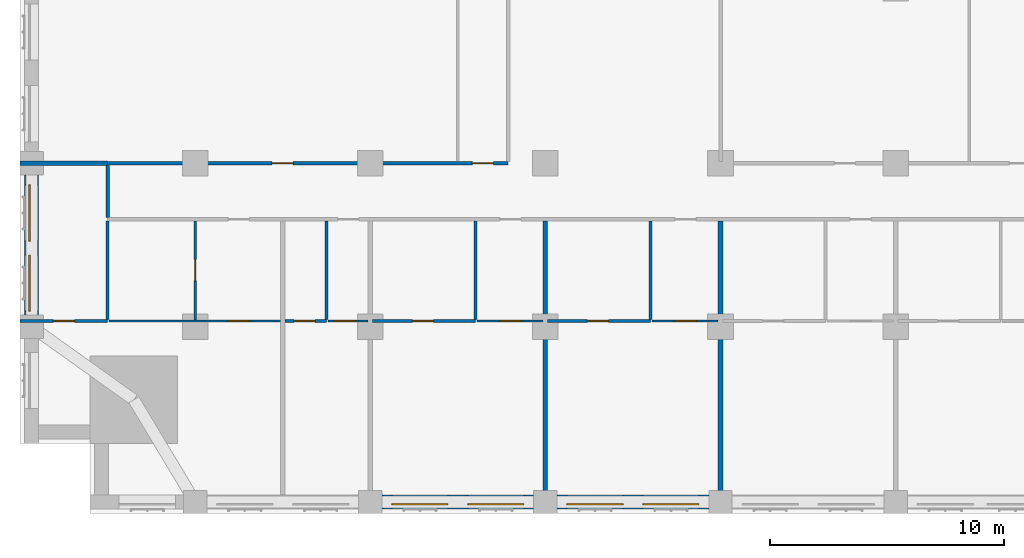
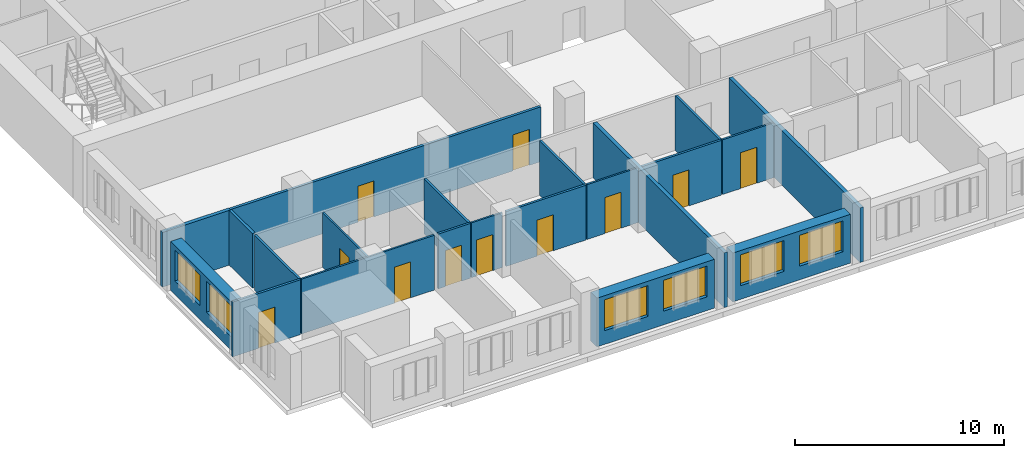
# One storey, part 4 of 14: 21 walls, 11 doors, 6 windows, 17 openings.
"""IFC4 building model written with IfcOpenShell, lengths in metres."""

import ifcopenshell
import ifcopenshell.guid

model = None  # the IFC model being written
_history = None  # IfcOwnerHistory: only IFC2X3 demands one
_inside = {}  # id of a spatial element -> (the spatial element, [elements in it])
_under = {}  # id of a project, library or spatial element -> (it, [spatial elements below it])
_declared = {}  # id of a project -> (the project, [libraries it declares])
_typed = {}  # id of a type object -> (the type object, [elements of that type])
_made_of = {}  # id of a material, layer set ... -> (it, [elements and type objects made of it])


def new_model(schema):
    """Start an empty IFC model of exactly this schema.

    Asked for "IFC4X3", IfcOpenShell would pick the latest addendum, in which some entities
    have other attributes; the version numbers below select the first issue.
    IFC2X3 requires an IfcOwnerHistory on every rooted entity: one is made here for all.
    """
    global model, _history
    if schema == "IFC4X3":
        model = ifcopenshell.file(schema_version=(4, 3, 0, 0))
    else:
        model = ifcopenshell.file(schema=schema)
    _inside.clear()
    _under.clear()
    _declared.clear()
    _typed.clear()
    _made_of.clear()
    _history = None
    if model.schema == "IFC2X3":
        org = make("IfcOrganization", Name="unknown")
        user = make(
            "IfcPersonAndOrganization",
            ThePerson=make("IfcPerson", FamilyName="unknown"),
            TheOrganization=org,
        )
        app = make(
            "IfcApplication",
            ApplicationDeveloper=org,
            Version="unknown",
            ApplicationFullName="unknown",
            ApplicationIdentifier="unknown",
        )
        _history = make(
            "IfcOwnerHistory",
            OwningUser=user,
            OwningApplication=app,
            ChangeAction="ADDED",
            CreationDate=0,
        )
    return model


def make(cls, **values):
    """One entity of the class cls with the attributes given. An attribute that is None is left unset."""
    return model.create_entity(
        cls, **{name: value for name, value in values.items() if value is not None}
    )


def rooted(cls, **values):
    """An entity with a GlobalId (a new one), such as an element, a storey or a relation."""
    return make(cls, GlobalId=ifcopenshell.guid.new(), OwnerHistory=_history, **values)


def si_unit(unit_type, name, prefix=None):
    """IfcSIUnit, for example si_unit("LENGTHUNIT", "METRE", prefix="MILLI")."""
    return make("IfcSIUnit", UnitType=unit_type, Prefix=prefix, Name=name)


def assignment(units):
    """IfcUnitAssignment: the units of a project."""
    return None if units is None else make("IfcUnitAssignment", Units=units)


def point(xyz):
    """IfcCartesianPoint."""
    return None if xyz is None else make("IfcCartesianPoint", Coordinates=xyz)


def direction(xyz):
    """IfcDirection."""
    return None if xyz is None else make("IfcDirection", DirectionRatios=xyz)


def frame(location, z_axis=None, x_axis=None):
    """IfcAxis2Placement3D, a coordinate frame: its origin and axes. An axis left out is left unset."""
    return make(
        "IfcAxis2Placement3D",
        Location=point(location),
        Axis=direction(z_axis),
        RefDirection=direction(x_axis),
    )


def frame_2d(location, x_axis=None):
    """IfcAxis2Placement2D, a coordinate frame in the plane: its origin and x axis."""
    return make(
        "IfcAxis2Placement2D", Location=point(location), RefDirection=direction(x_axis)
    )


def origin():
    """The frame at (0, 0, 0) with its axes left unset."""
    return frame((0.0, 0.0, 0.0))


def place(relative_to, where):
    """IfcLocalPlacement: puts the frame where relative to a parent placement (None: the world)."""
    return make(
        "IfcLocalPlacement", PlacementRelTo=relative_to, RelativePlacement=where
    )


def context(
    kind, dimensions, precision=None, world=None, true_north=None, identifier=None
):
    """IfcGeometricRepresentationContext, for example the 3D "Model" context."""
    return make(
        "IfcGeometricRepresentationContext",
        ContextIdentifier=identifier,
        ContextType=kind,
        CoordinateSpaceDimension=dimensions,
        Precision=precision,
        WorldCoordinateSystem=world,
        TrueNorth=true_north,
    )


def subcontext(parent, identifier, kind, view, scale=None):
    """IfcGeometricRepresentationSubContext, for example "Body" below "Model"."""
    return make(
        "IfcGeometricRepresentationSubContext",
        ContextIdentifier=identifier,
        ContextType=kind,
        ParentContext=parent,
        TargetScale=scale,
        TargetView=view,
    )


def project(units=None, contexts=None):
    """IfcProject with its units and contexts."""
    return rooted(
        "IfcProject",
        Name="project",
        RepresentationContexts=contexts,
        UnitsInContext=assignment(units),
    )


def spatial(cls, under=None, at=None, **own):
    """A site, building, storey or space (cls), placed at a placement, below another one or the project."""
    s = rooted(cls, ObjectPlacement=at, **own)
    if under is not None:
        _under.setdefault(under.id(), (under, []))[1].append(s)
    return s


def profile(cls, at=None, kind="AREA", **sizes):
    """A parametric profile (cls). Its sizes go by their IFC names, for example OverallWidth=200.0."""
    return make(cls, ProfileType=kind, Position=at, **sizes)


def rectangle(**sizes):
    """IfcRectangleProfileDef."""
    return profile("IfcRectangleProfileDef", **sizes)


def extrude(swept, where, along, depth):
    """IfcExtrudedAreaSolid: the profile swept, set in the frame where, extruded along a direction by depth."""
    return make(
        "IfcExtrudedAreaSolid",
        SweptArea=swept,
        Position=where,
        ExtrudedDirection=direction(along),
        Depth=depth,
    )


def shape(context_of_items, identifier, shape_type, items):
    """IfcShapeRepresentation: the items that make up one representation, for example the "Body"."""
    return make(
        "IfcShapeRepresentation",
        ContextOfItems=context_of_items,
        RepresentationIdentifier=identifier,
        RepresentationType=shape_type,
        Items=items,
    )


def material(Name=None, Category=None):
    """IfcMaterial."""
    return make("IfcMaterial", Name=Name, Category=Category)


def layer(
    of_material, thickness, ventilated=None, Name=None, Category=None, Priority=None
):
    """IfcMaterialLayer: one layer of a wall or slab, of a material (None: an air gap)."""
    return make(
        "IfcMaterialLayer",
        Material=of_material,
        LayerThickness=thickness,
        IsVentilated=ventilated,
        Name=Name,
        Category=Category,
        Priority=Priority,
    )


def layer_set(layers, Name=None):
    """IfcMaterialLayerSet."""
    return make("IfcMaterialLayerSet", MaterialLayers=layers, LayerSetName=Name)


def made_of(thing, what):
    """Note that an element or type object is made of a material, layer set ...; save() writes the relation."""
    if what is not None:
        _made_of.setdefault(what.id(), (what, []))[1].append(thing)
    return thing


def type_object(cls, material=None, **own):
    """A type object (cls), such as IfcWallType, which elements share."""
    return made_of(rooted(cls, **own), material)


def element(
    cls,
    number,
    at=None,
    inside=None,
    cuts=None,
    type_object=None,
    material=None,
    context=None,
    identifier="Body",
    shape_type=None,
    held_by="IfcProductDefinitionShape",
    body=None,
    shapes=None,
    **own,
):
    """One element of the class cls, such as IfcWall. Its Tag is "e" and its number.

    at: its placement. inside: the storey or other place that contains it. cuts: it is an
    opening in that element (IfcRelVoidsElement). A single representation is given by context,
    identifier, shape_type and body (its items); several are given by shapes. held_by: the class
    of the entity that holds the representations. save() writes the other relations.
    """
    e = rooted(cls, Tag="e%d" % number, ObjectPlacement=at, **own)
    if body is not None:
        shapes = [shape(context, identifier, shape_type, body)]
    if shapes is not None:
        e.Representation = make(held_by, Representations=shapes)
    if inside is not None:
        _inside.setdefault(inside.id(), (inside, []))[1].append(e)
    if cuts is not None:
        rooted(
            "IfcRelVoidsElement", RelatingBuildingElement=cuts, RelatedOpeningElement=e
        )
    if type_object is not None:
        _typed.setdefault(type_object.id(), (type_object, []))[1].append(e)
    return made_of(e, material)


def fill(opening, filler):
    """IfcRelFillsElement: the door or window that sits in an opening."""
    return rooted(
        "IfcRelFillsElement",
        RelatingOpeningElement=opening,
        RelatedBuildingElement=filler,
    )


def aggregate(whole, parts):
    """IfcRelAggregates: a whole, such as a stair, and the parts it consists of."""
    return rooted("IfcRelAggregates", RelatingObject=whole, RelatedObjects=parts)


def save(model, path):
    """Write the relations noted so far, then the file.

    IfcRelAggregates (storeys below a building ...), IfcRelContainedInSpatialStructure (elements
    in a storey), IfcRelDefinesByType, IfcRelAssociatesMaterial and IfcRelDeclares: one each for
    every whole, place, type object, material and project.
    """
    for whole, parts in _under.values():
        aggregate(whole, parts)
    for where, things in _inside.values():
        rooted(
            "IfcRelContainedInSpatialStructure",
            RelatedElements=things,
            RelatingStructure=where,
        )
    for kind, things in _typed.values():
        rooted("IfcRelDefinesByType", RelatedObjects=things, RelatingType=kind)
    for what, things in _made_of.values():
        rooted("IfcRelAssociatesMaterial", RelatedObjects=things, RelatingMaterial=what)
    for by, libraries in _declared.values():
        rooted("IfcRelDeclares", RelatingContext=by, RelatedDefinitions=libraries)
    model.write(path)


model = new_model("IFC4")

# Units and contexts
model_context = context("Model", 3, precision=1e-05, world=origin(), true_north=direction((0.0, 1.0)))
body_context = subcontext(model_context, "Body", "Model", "MODEL_VIEW")
ifc_project = project(units=[si_unit("LENGTHUNIT", "METRE"), si_unit("AREAUNIT", "SQUARE_METRE"), si_unit("VOLUMEUNIT", "CUBIC_METRE"), si_unit("PLANEANGLEUNIT", "RADIAN"), si_unit("MASSUNIT", "GRAM", prefix="KILO")], contexts=[model_context])

# Site, building, storey
site_placement = place(None, origin())
site = spatial("IfcSite", under=ifc_project, at=site_placement, CompositionType="ELEMENT")
building_placement = place(site_placement, origin())
building = spatial("IfcBuilding", under=site, at=building_placement, Name="Tamorin Gate", CompositionType="ELEMENT")
storey_placement = place(building_placement, frame((0.0, 0.0, 115.10009765625)))
storey = spatial("IfcBuildingStorey", under=building, at=storey_placement, Name="L28", CompositionType="ELEMENT", Elevation=115.10009765625)

# Wall, openings, windows
ifc_material_1 = material(Name="Precast concrete C40/50", Category="concrete")
ifc_layer_1 = layer(ifc_material_1, 0.60009765625)
ifc_layer_set_1 = layer_set([ifc_layer_1], Name="Precast concrete C40/50")
wall_type_1 = type_object("IfcWallType", Name="Board-marked concrete facade panel 600", PredefinedType="SOLIDWALL", material=ifc_layer_set_1)
wall_1_placement = place(storey_placement, frame((45.5, 38.0, 0.0), z_axis=(0.0, 0.0, 1.0), x_axis=(1.0, 0.0, 0.0)))
wall_1 = element("IfcWall", 1, at=wall_1_placement, inside=storey, type_object=wall_type_1, Name="Facade panel", PredefinedType="SOLIDWALL", context=body_context, shape_type="SweptSolid", body=[
    extrude(rectangle(XDim=6.5, YDim=0.60009765625, at=frame_2d((3.25, 0.0))), origin(), (0.0, 0.0, 1.0), 2.849853515625),
])
opening_1_placement = place(wall_1_placement, frame((0.425048828125, 0.0, 0.800048828125)))
opening_1 = element("IfcOpeningElement", 2, at=opening_1_placement, cuts=wall_1, Name="Opening WN1", PredefinedType="OPENING", context=body_context, shape_type="SweptSolid", body=[
    extrude(rectangle(XDim=2.39990234375, YDim=1.800048828125, at=frame_2d((1.199951171875, 0.89990234375))), frame((0.0, 0.31005859375, 0.0), z_axis=(0.0, -1.0, 0.0), x_axis=(1.0, 0.0, 0.0)), (0.0, 0.0, 1.0), 0.6201171875),
])
opening_2_placement = place(wall_1_placement, frame((3.675048828125, 0.0, 0.800048828125)))
opening_2 = element("IfcOpeningElement", 3, at=opening_2_placement, cuts=wall_1, Name="Opening WN1", PredefinedType="OPENING", context=body_context, shape_type="SweptSolid", body=[
    extrude(rectangle(XDim=2.39990234375, YDim=1.800048828125, at=frame_2d((1.199951171875, 0.89990234375))), frame((0.0, 0.31005859375, 0.0), z_axis=(0.0, -1.0, 0.0), x_axis=(1.0, 0.0, 0.0)), (0.0, 0.0, 1.0), 0.6201171875),
])
ifc_material_2 = material(Name="Clear glass in aluminium frame", Category="aluminium")
window_type = type_object("IfcWindowType", Name="Deep-set window 2400x1800", PartitioningType="SINGLE_PANEL", PredefinedType="WINDOW", material=ifc_material_2)
window_1_placement = place(opening_1_placement, origin())
window_1 = element("IfcWindow", 4, at=window_1_placement, inside=storey, type_object=window_type, Name="Deep-set window", OverallHeight=1.800048828125, OverallWidth=2.39990234375, PartitioningType="SINGLE_PANEL", PredefinedType="WINDOW", context=body_context, shape_type="SweptSolid", body=[
    extrude(rectangle(XDim=2.39990234375, YDim=1.800048828125, at=frame_2d((1.199951171875, 0.89990234375))), frame((0.0, -0.070068359375, 0.0), z_axis=(0.0, -1.0, 0.0), x_axis=(1.0, 0.0, 0.0)), (0.0, 0.0, 1.0), 0.06005859375),
])
fill(opening_1, window_1)
window_2_placement = place(opening_2_placement, origin())
window_2 = element("IfcWindow", 5, at=window_2_placement, inside=storey, type_object=window_type, Name="Deep-set window", OverallHeight=1.800048828125, OverallWidth=2.39990234375, PartitioningType="SINGLE_PANEL", PredefinedType="WINDOW", context=body_context, shape_type="SweptSolid", body=[
    extrude(rectangle(XDim=2.39990234375, YDim=1.800048828125, at=frame_2d((1.199951171875, 0.89990234375))), frame((0.0, -0.070068359375, 0.0), z_axis=(0.0, -1.0, 0.0), x_axis=(1.0, 0.0, 0.0)), (0.0, 0.0, 1.0), 0.06005859375),
])
fill(opening_2, window_2)

wall_2_placement = place(storey_placement, frame((53.0, 38.0, 0.0), z_axis=(0.0, 0.0, 1.0), x_axis=(1.0, 0.0, 0.0)))
wall_2 = element("IfcWall", 6, at=wall_2_placement, inside=storey, type_object=wall_type_1, Name="Facade panel", PredefinedType="SOLIDWALL", context=body_context, shape_type="SweptSolid", body=[
    extrude(rectangle(XDim=6.5, YDim=0.60009765625, at=frame_2d((3.25, 0.0))), origin(), (0.0, 0.0, 1.0), 2.849853515625),
])
opening_3_placement = place(wall_2_placement, frame((0.425048828125, 0.0, 0.800048828125)))
opening_3 = element("IfcOpeningElement", 7, at=opening_3_placement, cuts=wall_2, Name="Opening WN1", PredefinedType="OPENING", context=body_context, shape_type="SweptSolid", body=[
    extrude(rectangle(XDim=2.39990234375, YDim=1.800048828125, at=frame_2d((1.199951171875, 0.89990234375))), frame((0.0, 0.31005859375, 0.0), z_axis=(0.0, -1.0, 0.0), x_axis=(1.0, 0.0, 0.0)), (0.0, 0.0, 1.0), 0.6201171875),
])
opening_4_placement = place(wall_2_placement, frame((3.675048828125, 0.0, 0.800048828125)))
opening_4 = element("IfcOpeningElement", 8, at=opening_4_placement, cuts=wall_2, Name="Opening WN1", PredefinedType="OPENING", context=body_context, shape_type="SweptSolid", body=[
    extrude(rectangle(XDim=2.39990234375, YDim=1.800048828125, at=frame_2d((1.199951171875, 0.89990234375))), frame((0.0, 0.31005859375, 0.0), z_axis=(0.0, -1.0, 0.0), x_axis=(1.0, 0.0, 0.0)), (0.0, 0.0, 1.0), 0.6201171875),
])
window_3_placement = place(opening_3_placement, origin())
window_3 = element("IfcWindow", 9, at=window_3_placement, inside=storey, type_object=window_type, Name="Deep-set window", OverallHeight=1.800048828125, OverallWidth=2.39990234375, PartitioningType="SINGLE_PANEL", PredefinedType="WINDOW", context=body_context, shape_type="SweptSolid", body=[
    extrude(rectangle(XDim=2.39990234375, YDim=1.800048828125, at=frame_2d((1.199951171875, 0.89990234375))), frame((0.0, -0.070068359375, 0.0), z_axis=(0.0, -1.0, 0.0), x_axis=(1.0, 0.0, 0.0)), (0.0, 0.0, 1.0), 0.06005859375),
])
fill(opening_3, window_3)
window_4_placement = place(opening_4_placement, origin())
window_4 = element("IfcWindow", 10, at=window_4_placement, inside=storey, type_object=window_type, Name="Deep-set window", OverallHeight=1.800048828125, OverallWidth=2.39990234375, PartitioningType="SINGLE_PANEL", PredefinedType="WINDOW", context=body_context, shape_type="SweptSolid", body=[
    extrude(rectangle(XDim=2.39990234375, YDim=1.800048828125, at=frame_2d((1.199951171875, 0.89990234375))), frame((0.0, -0.070068359375, 0.0), z_axis=(0.0, -1.0, 0.0), x_axis=(1.0, 0.0, 0.0)), (0.0, 0.0, 1.0), 0.06005859375),
])
fill(opening_4, window_4)

wall_3_placement = place(storey_placement, frame((30.5, 52.0, 0.0), z_axis=(0.0, 0.0, 1.0), x_axis=(0.0, -1.0, 0.0)))
wall_3 = element("IfcWall", 11, at=wall_3_placement, inside=storey, type_object=wall_type_1, Name="Facade panel", PredefinedType="SOLIDWALL", context=body_context, shape_type="SweptSolid", body=[
    extrude(rectangle(XDim=6.0, YDim=0.60009765625, at=frame_2d((3.0, 0.0))), origin(), (0.0, 0.0, 1.0), 2.849853515625),
])
opening_5_placement = place(wall_3_placement, frame((3.425048828125, 0.0, 0.800048828125)))
opening_5 = element("IfcOpeningElement", 12, at=opening_5_placement, cuts=wall_3, Name="Opening WN1", PredefinedType="OPENING", context=body_context, shape_type="SweptSolid", body=[
    extrude(rectangle(XDim=2.39990234375, YDim=1.800048828125, at=frame_2d((1.199951171875, 0.89990234375))), frame((0.0, 0.31005859375, 0.0), z_axis=(0.0, -1.0, 0.0), x_axis=(1.0, 0.0, 0.0)), (0.0, 0.0, 1.0), 0.6201171875),
])
opening_6_placement = place(wall_3_placement, frame((0.425048828125, 0.0, 0.800048828125)))
opening_6 = element("IfcOpeningElement", 13, at=opening_6_placement, cuts=wall_3, Name="Opening WN1", PredefinedType="OPENING", context=body_context, shape_type="SweptSolid", body=[
    extrude(rectangle(XDim=2.39990234375, YDim=1.800048828125, at=frame_2d((1.199951171875, 0.89990234375))), frame((0.0, 0.31005859375, 0.0), z_axis=(0.0, -1.0, 0.0), x_axis=(1.0, 0.0, 0.0)), (0.0, 0.0, 1.0), 0.6201171875),
])
window_5_placement = place(opening_5_placement, origin())
window_5 = element("IfcWindow", 14, at=window_5_placement, inside=storey, type_object=window_type, Name="Deep-set window", OverallHeight=1.800048828125, OverallWidth=2.39990234375, PartitioningType="SINGLE_PANEL", PredefinedType="WINDOW", context=body_context, shape_type="SweptSolid", body=[
    extrude(rectangle(XDim=2.39990234375, YDim=1.800048828125, at=frame_2d((1.199951171875, 0.89990234375))), frame((0.0, -0.070068359375, 0.0), z_axis=(0.0, -1.0, 0.0), x_axis=(1.0, 0.0, 0.0)), (0.0, 0.0, 1.0), 0.06005859375),
])
fill(opening_5, window_5)
window_6_placement = place(opening_6_placement, origin())
window_6 = element("IfcWindow", 15, at=window_6_placement, inside=storey, type_object=window_type, Name="Deep-set window", OverallHeight=1.800048828125, OverallWidth=2.39990234375, PartitioningType="SINGLE_PANEL", PredefinedType="WINDOW", context=body_context, shape_type="SweptSolid", body=[
    extrude(rectangle(XDim=2.39990234375, YDim=1.800048828125, at=frame_2d((1.199951171875, 0.89990234375))), frame((0.0, -0.070068359375, 0.0), z_axis=(0.0, -1.0, 0.0), x_axis=(1.0, 0.0, 0.0)), (0.0, 0.0, 1.0), 0.06005859375),
])
fill(opening_6, window_6)

# Wall, openings, doors
ifc_material_3 = material(Name="Gypsum board partition")
ifc_layer_2 = layer(ifc_material_3, 0.14990234375)
ifc_layer_set_2 = layer_set([ifc_layer_2], Name="Corridor wall 150")
wall_type_2 = type_object("IfcWallType", Name="Corridor wall 150", PredefinedType="PARTITIONING", material=ifc_layer_set_2)
wall_4_placement = place(storey_placement, frame((33.75, 52.5, 0.0), z_axis=(0.0, 0.0, 1.0), x_axis=(1.0, 0.0, 0.0)))
wall_4 = element("IfcWall", 16, at=wall_4_placement, inside=storey, type_object=wall_type_2, Name="Corridor wall 150", PredefinedType="PARTITIONING", context=body_context, shape_type="SweptSolid", body=[
    extrude(rectangle(XDim=17.14990234375, YDim=0.14990234375, at=frame_2d((8.574951171875, 0.0))), origin(), (0.0, 0.0, 1.0), 3.199951171875),
])
opening_7_placement = place(wall_4_placement, frame((7.050048828125, 0.0, 0.0)))
opening_7 = element("IfcOpeningElement", 17, at=opening_7_placement, cuts=wall_4, Name="Opening DH7066", PredefinedType="OPENING", context=body_context, shape_type="SweptSolid", body=[
    extrude(rectangle(XDim=0.89990234375, YDim=2.10009765625, at=frame_2d((0.449951171875, 1.050048828125))), frame((0.0, 0.0849609375, 0.0), z_axis=(0.0, -1.0, 0.0), x_axis=(1.0, 0.0, 0.0)), (0.0, 0.0, 1.0), 0.169921875),
])
opening_8_placement = place(wall_4_placement, frame((15.625, 0.0, 0.0)))
opening_8 = element("IfcOpeningElement", 18, at=opening_8_placement, cuts=wall_4, Name="Opening DH7067", PredefinedType="OPENING", context=body_context, shape_type="SweptSolid", body=[
    extrude(rectangle(XDim=0.89990234375, YDim=2.10009765625, at=frame_2d((0.449951171875, 1.050048828125))), frame((0.0, 0.0849609375, 0.0), z_axis=(0.0, -1.0, 0.0), x_axis=(1.0, 0.0, 0.0)), (0.0, 0.0, 1.0), 0.169921875),
])
ifc_material_4 = material(Name="Timber door leaf", Category="wood")
door_type_1 = type_object("IfcDoorType", Name="Door 900 x 2100 FD30S", OperationType="NOTDEFINED", PredefinedType="DOOR", material=ifc_material_4)
door_1_placement = place(opening_7_placement, origin())
door_1 = element("IfcDoor", 19, at=door_1_placement, inside=storey, type_object=door_type_1, Name="Door DH7066", OperationType="SINGLE_SWING_LEFT", OverallHeight=2.10009765625, OverallWidth=0.89990234375, PredefinedType="DOOR", context=body_context, shape_type="SweptSolid", body=[
    extrude(rectangle(XDim=0.89990234375, YDim=2.10009765625, at=frame_2d((0.449951171875, 1.050048828125))), frame((0.0, 0.02490234375, 0.0), z_axis=(0.0, -1.0, 0.0), x_axis=(1.0, 0.0, 0.0)), (0.0, 0.0, 1.0), 0.050048828125),
])
fill(opening_7, door_1)
door_2_placement = place(opening_8_placement, origin())
door_2 = element("IfcDoor", 20, at=door_2_placement, inside=storey, type_object=door_type_1, Name="Door DH7067", OperationType="SINGLE_SWING_LEFT", OverallHeight=2.10009765625, OverallWidth=0.89990234375, PredefinedType="DOOR", context=body_context, shape_type="SweptSolid", body=[
    extrude(rectangle(XDim=0.89990234375, YDim=2.10009765625, at=frame_2d((0.449951171875, 1.050048828125))), frame((0.0, 0.02490234375, 0.0), z_axis=(0.0, -1.0, 0.0), x_axis=(1.0, 0.0, 0.0)), (0.0, 0.0, 1.0), 0.050048828125),
])
fill(opening_8, door_2)

# Walls
wall_5_placement = place(storey_placement, frame((33.75, 50.175048828125, 0.0), z_axis=(0.0, 0.0, 1.0), x_axis=(0.0, 1.0, 0.0)))
element("IfcWall", 21, at=wall_5_placement, inside=storey, type_object=wall_type_2, Name="Corridor wall 150", PredefinedType="PARTITIONING", context=body_context, shape_type="SweptSolid", body=[
    extrude(rectangle(XDim=2.224853515625, YDim=0.14990234375, at=frame_2d((1.1123046875, 0.0))), origin(), (0.0, 0.0, 1.0), 3.199951171875),
])
ifc_layer_3 = layer(ifc_material_3, 0.199951171875)
ifc_layer_set_3 = layer_set([ifc_layer_3], Name="Demising wall 200")
wall_type_3 = type_object("IfcWallType", Name="Demising wall 200", PredefinedType="PARTITIONING", material=ifc_layer_set_3)
wall_6_placement = place(storey_placement, frame((30.0, 52.5, 0.0), z_axis=(0.0, 0.0, 1.0), x_axis=(1.0, 0.0, 0.0)))
element("IfcWall", 22, at=wall_6_placement, inside=storey, type_object=wall_type_3, Name="Demising wall 200", PredefinedType="PARTITIONING", context=body_context, shape_type="SweptSolid", body=[
    extrude(rectangle(XDim=3.75, YDim=0.199951171875, at=frame_2d((1.875, 0.0))), origin(), (0.0, 0.0, 1.0), 3.199951171875),
])
for number, where, z_axis, x_axis, name in (
    (23, (52.5, 37.5, 0.0), (0.0, 0.0, 1.0), (0.0, 1.0, 0.0), "Demising wall 200"),
    (24, (60.0, 37.5, 0.0), (0.0, 0.0, 1.0), (0.0, 1.0, 0.0), "Demising wall 200"),
):
    element("IfcWall", number, at=place(storey_placement, frame(where, z_axis=z_axis, x_axis=x_axis)), inside=storey, type_object=wall_type_3, Name=name, PredefinedType="PARTITIONING", context=body_context, shape_type="SweptSolid", body=[
        extrude(rectangle(XDim=12.52490234375, YDim=0.199951171875, at=frame_2d((6.262451171875, 0.0))), origin(), (0.0, 0.0, 1.0), 3.199951171875),
    ])

# Wall, opening, door
ifc_layer_4 = layer(ifc_material_3, 0.10009765625)
ifc_layer_set_4 = layer_set([ifc_layer_4], Name="Room partition 100")
wall_type_4 = type_object("IfcWallType", Name="Room partition 100", PredefinedType="PARTITIONING", material=ifc_layer_set_4)
wall_7_placement = place(storey_placement, frame((33.8125, 45.75, 0.0), z_axis=(0.0, 0.0, 1.0), x_axis=(1.0, 0.0, 0.0)))
wall_7 = element("IfcWall", 25, at=wall_7_placement, inside=storey, type_object=wall_type_4, Name="Room partition 100", PredefinedType="PARTITIONING", context=body_context, shape_type="SweptSolid", body=[
    extrude(rectangle(XDim=7.33740234375, YDim=0.10009765625, at=frame_2d((3.668701171875, 0.0))), origin(), (0.0, 0.0, 1.0), 3.199951171875),
])
opening_9_placement = place(wall_7_placement, frame((5.112548828125, 0.0, 0.0)))
opening_9 = element("IfcOpeningElement", 26, at=opening_9_placement, cuts=wall_7, Name="Opening DH7004", PredefinedType="OPENING", context=body_context, shape_type="SweptSolid", body=[
    extrude(rectangle(XDim=0.89990234375, YDim=2.10009765625, at=frame_2d((0.449951171875, 1.050048828125))), frame((0.0, 0.06005859375, 0.0), z_axis=(0.0, -1.0, 0.0), x_axis=(1.0, 0.0, 0.0)), (0.0, 0.0, 1.0), 0.1201171875),
])
door_type_2 = type_object("IfcDoorType", Name="Door 900 x 2100", OperationType="NOTDEFINED", PredefinedType="DOOR", material=ifc_material_4)
door_3_placement = place(opening_9_placement, origin())
door_3 = element("IfcDoor", 27, at=door_3_placement, inside=storey, type_object=door_type_2, Name="Door DH7004", OperationType="SINGLE_SWING_LEFT", OverallHeight=2.10009765625, OverallWidth=0.89990234375, PredefinedType="DOOR", context=body_context, shape_type="SweptSolid", body=[
    extrude(rectangle(XDim=0.89990234375, YDim=2.10009765625, at=frame_2d((0.449951171875, 1.050048828125))), frame((0.0, 0.02490234375, 0.0), z_axis=(0.0, -1.0, 0.0), x_axis=(1.0, 0.0, 0.0)), (0.0, 0.0, 1.0), 0.050048828125),
])
fill(opening_9, door_3)

wall_8_placement = place(storey_placement, frame((43.1875, 45.75, 0.0), z_axis=(0.0, 0.0, 1.0), x_axis=(1.0, 0.0, 0.0)))
wall_8 = element("IfcWall", 28, at=wall_8_placement, inside=storey, type_object=wall_type_4, Name="Room partition 100", PredefinedType="PARTITIONING", context=body_context, shape_type="SweptSolid", body=[
    extrude(rectangle(XDim=1.71240234375, YDim=0.10009765625, at=frame_2d((0.856201171875, 0.0))), origin(), (0.0, 0.0, 1.0), 3.199951171875),
])
opening_10_placement = place(wall_8_placement, frame((0.27490234375, 0.0, 0.0)))
opening_10 = element("IfcOpeningElement", 29, at=opening_10_placement, cuts=wall_8, Name="Opening DH7007", PredefinedType="OPENING", context=body_context, shape_type="SweptSolid", body=[
    extrude(rectangle(XDim=0.89990234375, YDim=2.10009765625, at=frame_2d((0.449951171875, 1.050048828125))), frame((0.0, 0.06005859375, 0.0), z_axis=(0.0, -1.0, 0.0), x_axis=(1.0, 0.0, 0.0)), (0.0, 0.0, 1.0), 0.1201171875),
])
door_4_placement = place(opening_10_placement, origin())
door_4 = element("IfcDoor", 30, at=door_4_placement, inside=storey, type_object=door_type_2, Name="Door DH7007", OperationType="SINGLE_SWING_LEFT", OverallHeight=2.10009765625, OverallWidth=0.89990234375, PredefinedType="DOOR", context=body_context, shape_type="SweptSolid", body=[
    extrude(rectangle(XDim=0.89990234375, YDim=2.10009765625, at=frame_2d((0.449951171875, 1.050048828125))), frame((0.0, 0.02490234375, 0.0), z_axis=(0.0, -1.0, 0.0), x_axis=(1.0, 0.0, 0.0)), (0.0, 0.0, 1.0), 0.050048828125),
])
fill(opening_10, door_4)

wall_9_placement = place(storey_placement, frame((49.5625, 45.75, 0.0), z_axis=(0.0, 0.0, 1.0), x_axis=(1.0, 0.0, 0.0)))
wall_9 = element("IfcWall", 31, at=wall_9_placement, inside=storey, type_object=wall_type_4, Name="Room partition 100", PredefinedType="PARTITIONING", context=body_context, shape_type="SweptSolid", body=[
    extrude(rectangle(XDim=2.83740234375, YDim=0.10009765625, at=frame_2d((1.418701171875, 0.0))), origin(), (0.0, 0.0, 1.0), 3.199951171875),
])
opening_11_placement = place(wall_9_placement, frame((0.987548828125, 0.0, 0.0)))
opening_11 = element("IfcOpeningElement", 32, at=opening_11_placement, cuts=wall_9, Name="Opening DH7010", PredefinedType="OPENING", context=body_context, shape_type="SweptSolid", body=[
    extrude(rectangle(XDim=0.89990234375, YDim=2.10009765625, at=frame_2d((0.449951171875, 1.050048828125))), frame((0.0, 0.06005859375, 0.0), z_axis=(0.0, -1.0, 0.0), x_axis=(1.0, 0.0, 0.0)), (0.0, 0.0, 1.0), 0.1201171875),
])
door_5_placement = place(opening_11_placement, origin())
door_5 = element("IfcDoor", 33, at=door_5_placement, inside=storey, type_object=door_type_2, Name="Door DH7010", OperationType="SINGLE_SWING_LEFT", OverallHeight=2.10009765625, OverallWidth=0.89990234375, PredefinedType="DOOR", context=body_context, shape_type="SweptSolid", body=[
    extrude(rectangle(XDim=0.89990234375, YDim=2.10009765625, at=frame_2d((0.449951171875, 1.050048828125))), frame((0.0, 0.02490234375, 0.0), z_axis=(0.0, -1.0, 0.0), x_axis=(1.0, 0.0, 0.0)), (0.0, 0.0, 1.0), 0.050048828125),
])
fill(opening_11, door_5)

wall_10_placement = place(storey_placement, frame((57.0625, 45.75, 0.0), z_axis=(0.0, 0.0, 1.0), x_axis=(1.0, 0.0, 0.0)))
wall_10 = element("IfcWall", 34, at=wall_10_placement, inside=storey, type_object=wall_type_4, Name="Room partition 100", PredefinedType="PARTITIONING", context=body_context, shape_type="SweptSolid", body=[
    extrude(rectangle(XDim=2.83740234375, YDim=0.10009765625, at=frame_2d((1.418701171875, 0.0))), origin(), (0.0, 0.0, 1.0), 3.199951171875),
])
opening_12_placement = place(wall_10_placement, frame((0.987548828125, 0.0, 0.0)))
opening_12 = element("IfcOpeningElement", 35, at=opening_12_placement, cuts=wall_10, Name="Opening DH7013", PredefinedType="OPENING", context=body_context, shape_type="SweptSolid", body=[
    extrude(rectangle(XDim=0.89990234375, YDim=2.10009765625, at=frame_2d((0.449951171875, 1.050048828125))), frame((0.0, 0.06005859375, 0.0), z_axis=(0.0, -1.0, 0.0), x_axis=(1.0, 0.0, 0.0)), (0.0, 0.0, 1.0), 0.1201171875),
])
door_6_placement = place(opening_12_placement, origin())
door_6 = element("IfcDoor", 36, at=door_6_placement, inside=storey, type_object=door_type_2, Name="Door DH7013", OperationType="SINGLE_SWING_LEFT", OverallHeight=2.10009765625, OverallWidth=0.89990234375, PredefinedType="DOOR", context=body_context, shape_type="SweptSolid", body=[
    extrude(rectangle(XDim=0.89990234375, YDim=2.10009765625, at=frame_2d((0.449951171875, 1.050048828125))), frame((0.0, 0.02490234375, 0.0), z_axis=(0.0, -1.0, 0.0), x_axis=(1.0, 0.0, 0.0)), (0.0, 0.0, 1.0), 0.050048828125),
])
fill(opening_12, door_6)

wall_11_placement = place(storey_placement, frame((37.5, 45.800048828125, 0.0), z_axis=(0.0, 0.0, 1.0), x_axis=(0.0, 1.0, 0.0)))
wall_11 = element("IfcWall", 37, at=wall_11_placement, inside=storey, type_object=wall_type_4, Name="Room partition 100", PredefinedType="PARTITIONING", context=body_context, shape_type="SweptSolid", body=[
    extrude(rectangle(XDim=4.224853515625, YDim=0.10009765625, at=frame_2d((2.1123046875, 0.0))), origin(), (0.0, 0.0, 1.0), 3.199951171875),
])
opening_13_placement = place(wall_11_placement, frame((1.675048828125, 0.0, 0.0)))
opening_13 = element("IfcOpeningElement", 38, at=opening_13_placement, cuts=wall_11, Name="Opening DH7002", PredefinedType="OPENING", context=body_context, shape_type="SweptSolid", body=[
    extrude(rectangle(XDim=0.89990234375, YDim=2.10009765625, at=frame_2d((0.449951171875, 1.050048828125))), frame((0.0, 0.06005859375, 0.0), z_axis=(0.0, -1.0, 0.0), x_axis=(1.0, 0.0, 0.0)), (0.0, 0.0, 1.0), 0.1201171875),
])
door_7_placement = place(opening_13_placement, origin())
door_7 = element("IfcDoor", 39, at=door_7_placement, inside=storey, type_object=door_type_2, Name="Door DH7002", OperationType="SINGLE_SWING_RIGHT", OverallHeight=2.10009765625, OverallWidth=0.89990234375, PredefinedType="DOOR", context=body_context, shape_type="SweptSolid", body=[
    extrude(rectangle(XDim=0.89990234375, YDim=2.10009765625, at=frame_2d((0.449951171875, 1.050048828125))), frame((0.0, 0.02490234375, 0.0), z_axis=(0.0, -1.0, 0.0), x_axis=(1.0, 0.0, 0.0)), (0.0, 0.0, 1.0), 0.050048828125),
])
fill(opening_13, door_7)

ifc_layer_5 = layer(ifc_material_3, 0.125)
ifc_layer_set_5 = layer_set([ifc_layer_5], Name="Wet wall 125")
wall_type_5 = type_object("IfcWallType", Name="Wet wall 125", PredefinedType="PARTITIONING", material=ifc_layer_set_5)
wall_12_placement = place(storey_placement, frame((30.0, 45.75, 0.0), z_axis=(0.0, 0.0, 1.0), x_axis=(1.0, 0.0, 0.0)))
wall_12 = element("IfcWall", 40, at=wall_12_placement, inside=storey, type_object=wall_type_5, Name="Wet wall 125", PredefinedType="PARTITIONING", context=body_context, shape_type="SweptSolid", body=[
    extrude(rectangle(XDim=3.75, YDim=0.125, at=frame_2d((1.875, 0.0))), origin(), (0.0, 0.0, 1.0), 3.199951171875),
])
opening_14_placement = place(wall_12_placement, frame((1.425048828125, 0.0, 0.0)))
opening_14 = element("IfcOpeningElement", 41, at=opening_14_placement, cuts=wall_12, Name="Opening DH7001", PredefinedType="OPENING", context=body_context, shape_type="SweptSolid", body=[
    extrude(rectangle(XDim=0.89990234375, YDim=2.10009765625, at=frame_2d((0.449951171875, 1.050048828125))), frame((0.0, 0.072509765625, 0.0), z_axis=(0.0, -1.0, 0.0), x_axis=(1.0, 0.0, 0.0)), (0.0, 0.0, 1.0), 0.14501953125),
])
door_8_placement = place(opening_14_placement, origin())
door_8 = element("IfcDoor", 42, at=door_8_placement, inside=storey, type_object=door_type_2, Name="Door DH7001", OperationType="SINGLE_SWING_LEFT", OverallHeight=2.10009765625, OverallWidth=0.89990234375, PredefinedType="DOOR", context=body_context, shape_type="SweptSolid", body=[
    extrude(rectangle(XDim=0.89990234375, YDim=2.10009765625, at=frame_2d((0.449951171875, 1.050048828125))), frame((0.0, 0.02490234375, 0.0), z_axis=(0.0, -1.0, 0.0), x_axis=(1.0, 0.0, 0.0)), (0.0, 0.0, 1.0), 0.050048828125),
])
fill(opening_14, door_8)

wall_13_placement = place(storey_placement, frame((41.35009765625, 45.75, 0.0), z_axis=(0.0, 0.0, 1.0), x_axis=(1.0, 0.0, 0.0)))
wall_13 = element("IfcWall", 43, at=wall_13_placement, inside=storey, type_object=wall_type_5, Name="Wet wall 125", PredefinedType="PARTITIONING", context=body_context, shape_type="SweptSolid", body=[
    extrude(rectangle(XDim=1.77490234375, YDim=0.125, at=frame_2d((0.887451171875, 0.0))), origin(), (0.0, 0.0, 1.0), 3.199951171875),
])
opening_15_placement = place(wall_13_placement, frame((0.387451171875, 0.0, 0.0)))
opening_15 = element("IfcOpeningElement", 44, at=opening_15_placement, cuts=wall_13, Name="Opening DH7005", PredefinedType="OPENING", context=body_context, shape_type="SweptSolid", body=[
    extrude(rectangle(XDim=0.89990234375, YDim=2.10009765625, at=frame_2d((0.449951171875, 1.050048828125))), frame((0.0, 0.072509765625, 0.0), z_axis=(0.0, -1.0, 0.0), x_axis=(1.0, 0.0, 0.0)), (0.0, 0.0, 1.0), 0.14501953125),
])
door_9_placement = place(opening_15_placement, origin())
door_9 = element("IfcDoor", 45, at=door_9_placement, inside=storey, type_object=door_type_2, Name="Door DH7005", OperationType="SINGLE_SWING_LEFT", OverallHeight=2.10009765625, OverallWidth=0.89990234375, PredefinedType="DOOR", context=body_context, shape_type="SweptSolid", body=[
    extrude(rectangle(XDim=0.89990234375, YDim=2.10009765625, at=frame_2d((0.449951171875, 1.050048828125))), frame((0.0, 0.02490234375, 0.0), z_axis=(0.0, -1.0, 0.0), x_axis=(1.0, 0.0, 0.0)), (0.0, 0.0, 1.0), 0.050048828125),
])
fill(opening_15, door_9)

wall_14_placement = place(storey_placement, frame((45.10009765625, 45.75, 0.0), z_axis=(0.0, 0.0, 1.0), x_axis=(1.0, 0.0, 0.0)))
wall_14 = element("IfcWall", 46, at=wall_14_placement, inside=storey, type_object=wall_type_5, Name="Wet wall 125", PredefinedType="PARTITIONING", context=body_context, shape_type="SweptSolid", body=[
    extrude(rectangle(XDim=4.39990234375, YDim=0.125, at=frame_2d((2.199951171875, 0.0))), origin(), (0.0, 0.0, 1.0), 3.199951171875),
])
opening_16_placement = place(wall_14_placement, frame((1.699951171875, 0.0, 0.0)))
opening_16 = element("IfcOpeningElement", 47, at=opening_16_placement, cuts=wall_14, Name="Opening DH7008", PredefinedType="OPENING", context=body_context, shape_type="SweptSolid", body=[
    extrude(rectangle(XDim=0.89990234375, YDim=2.10009765625, at=frame_2d((0.449951171875, 1.050048828125))), frame((0.0, 0.072509765625, 0.0), z_axis=(0.0, -1.0, 0.0), x_axis=(1.0, 0.0, 0.0)), (0.0, 0.0, 1.0), 0.14501953125),
])
door_10_placement = place(opening_16_placement, origin())
door_10 = element("IfcDoor", 48, at=door_10_placement, inside=storey, type_object=door_type_2, Name="Door DH7008", OperationType="SINGLE_SWING_LEFT", OverallHeight=2.10009765625, OverallWidth=0.89990234375, PredefinedType="DOOR", context=body_context, shape_type="SweptSolid", body=[
    extrude(rectangle(XDim=0.89990234375, YDim=2.10009765625, at=frame_2d((0.449951171875, 1.050048828125))), frame((0.0, 0.02490234375, 0.0), z_axis=(0.0, -1.0, 0.0), x_axis=(1.0, 0.0, 0.0)), (0.0, 0.0, 1.0), 0.050048828125),
])
fill(opening_16, door_10)

wall_15_placement = place(storey_placement, frame((52.60009765625, 45.75, 0.0), z_axis=(0.0, 0.0, 1.0), x_axis=(1.0, 0.0, 0.0)))
wall_15 = element("IfcWall", 49, at=wall_15_placement, inside=storey, type_object=wall_type_5, Name="Wet wall 125", PredefinedType="PARTITIONING", context=body_context, shape_type="SweptSolid", body=[
    extrude(rectangle(XDim=4.39990234375, YDim=0.125, at=frame_2d((2.199951171875, 0.0))), origin(), (0.0, 0.0, 1.0), 3.199951171875),
])
opening_17_placement = place(wall_15_placement, frame((1.699951171875, 0.0, 0.0)))
opening_17 = element("IfcOpeningElement", 50, at=opening_17_placement, cuts=wall_15, Name="Opening DH7011", PredefinedType="OPENING", context=body_context, shape_type="SweptSolid", body=[
    extrude(rectangle(XDim=0.89990234375, YDim=2.10009765625, at=frame_2d((0.449951171875, 1.050048828125))), frame((0.0, 0.072509765625, 0.0), z_axis=(0.0, -1.0, 0.0), x_axis=(1.0, 0.0, 0.0)), (0.0, 0.0, 1.0), 0.14501953125),
])
door_11_placement = place(opening_17_placement, origin())
door_11 = element("IfcDoor", 51, at=door_11_placement, inside=storey, type_object=door_type_2, Name="Door DH7011", OperationType="SINGLE_SWING_LEFT", OverallHeight=2.10009765625, OverallWidth=0.89990234375, PredefinedType="DOOR", context=body_context, shape_type="SweptSolid", body=[
    extrude(rectangle(XDim=0.89990234375, YDim=2.10009765625, at=frame_2d((0.449951171875, 1.050048828125))), frame((0.0, 0.02490234375, 0.0), z_axis=(0.0, -1.0, 0.0), x_axis=(1.0, 0.0, 0.0)), (0.0, 0.0, 1.0), 0.050048828125),
])
fill(opening_17, door_11)

# Walls
for number, where, z_axis, x_axis, name in (
    (52, (33.75, 45.8125, 0.0), (0.0, 0.0, 1.0), (0.0, 1.0, 0.0), "Wet wall 125"),
    (53, (43.125, 45.8125, 0.0), (0.0, 0.0, 1.0), (0.0, 1.0, 0.0), "Wet wall 125"),
    (54, (49.5, 45.8125, 0.0), (0.0, 0.0, 1.0), (0.0, 1.0, 0.0), "Wet wall 125"),
    (55, (57.0, 45.8125, 0.0), (0.0, 0.0, 1.0), (0.0, 1.0, 0.0), "Wet wall 125"),
):
    element("IfcWall", number, at=place(storey_placement, frame(where, z_axis=z_axis, x_axis=x_axis)), inside=storey, type_object=wall_type_5, Name=name, PredefinedType="PARTITIONING", context=body_context, shape_type="SweptSolid", body=[
        extrude(rectangle(XDim=4.21240234375, YDim=0.125, at=frame_2d((2.106201171875, 0.0))), origin(), (0.0, 0.0, 1.0), 3.199951171875),
    ])

save(model, "model.ifc")
